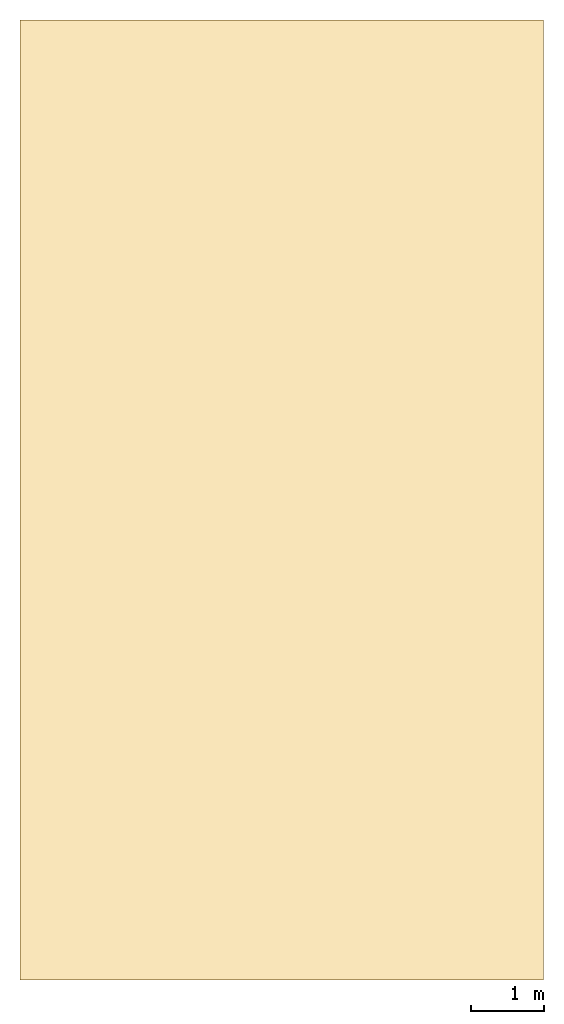
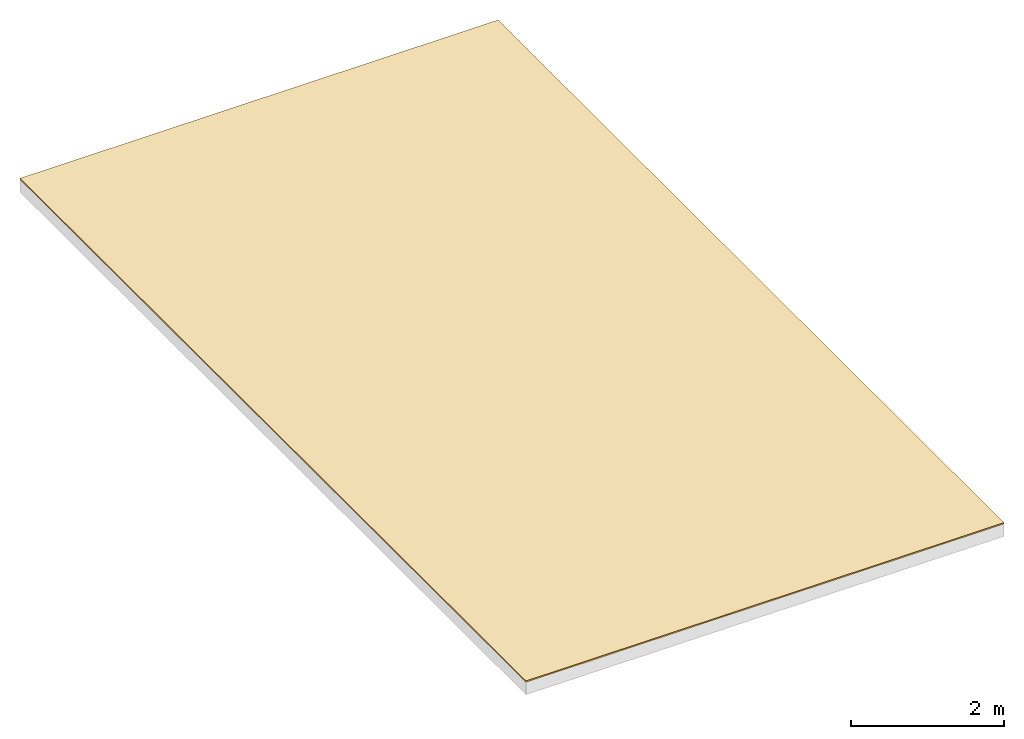
# One storey, part 2 of 2: 1 covering.
"""IFC4 building model written with IfcOpenShell, lengths in metres."""

from ifc_helpers import new_model, si_unit, direction, frame, origin, place, context, subcontext, project, spatial, polyline, outline, extrude, material, layer, layer_set, type_object, element, save


model = new_model("IFC4")

# Units and contexts
model_context = context("Model", 3, precision=1e-05, world=origin(), true_north=direction((0.0, 1.0)))
body_context = subcontext(model_context, "Body", "Model", "MODEL_VIEW")
ifc_project = project(units=[si_unit("LENGTHUNIT", "METRE"), si_unit("AREAUNIT", "SQUARE_METRE"), si_unit("VOLUMEUNIT", "CUBIC_METRE"), si_unit("PLANEANGLEUNIT", "RADIAN"), si_unit("MASSUNIT", "GRAM", prefix="KILO")], contexts=[model_context])

# Site, building, storey
site_placement = place(None, origin())
site = spatial("IfcSite", under=ifc_project, at=site_placement, CompositionType="ELEMENT")
building_placement = place(site_placement, origin())
building = spatial("IfcBuilding", under=site, at=building_placement, Name="Saffron Lane Theatres", CompositionType="ELEMENT")
storey_placement = place(building_placement, frame((0.0, 0.0, 39.60009765625)))
storey = spatial("IfcBuildingStorey", under=building, at=storey_placement, Name="Roof Tower 2", CompositionType="ELEMENT", Elevation=39.60009765625)

# Covering
ifc_material = material(Name="Zinc standing seam roofing", Category="metal")
ifc_layer = layer(ifc_material, 0.02001953125)
ifc_layer_set = layer_set([ifc_layer], Name="Zinc standing seam roofing")
covering_type = type_object("IfcCoveringType", Name="ST-ZINC ROOFING", PredefinedType="ROOFING", material=ifc_layer_set)
covering_placement = place(storey_placement, frame((0.0, 0.0, 0.02978515625)))
element("IfcCovering", 1, at=covering_placement, inside=storey, type_object=covering_type, Name="LZ2", PredefinedType="ROOFING", context=body_context, shape_type="SweptSolid", body=[
    extrude(outline(polyline([(29.39990234375, 35.64990234375), (36.60009765625, 35.64990234375), (36.60009765625, 48.85009765625), (29.39990234375, 48.85009765625), (29.39990234375, 35.64990234375)])), origin(), (0.0, 0.0, 1.0), 0.02001953125),
])

save(model, "model.ifc")
